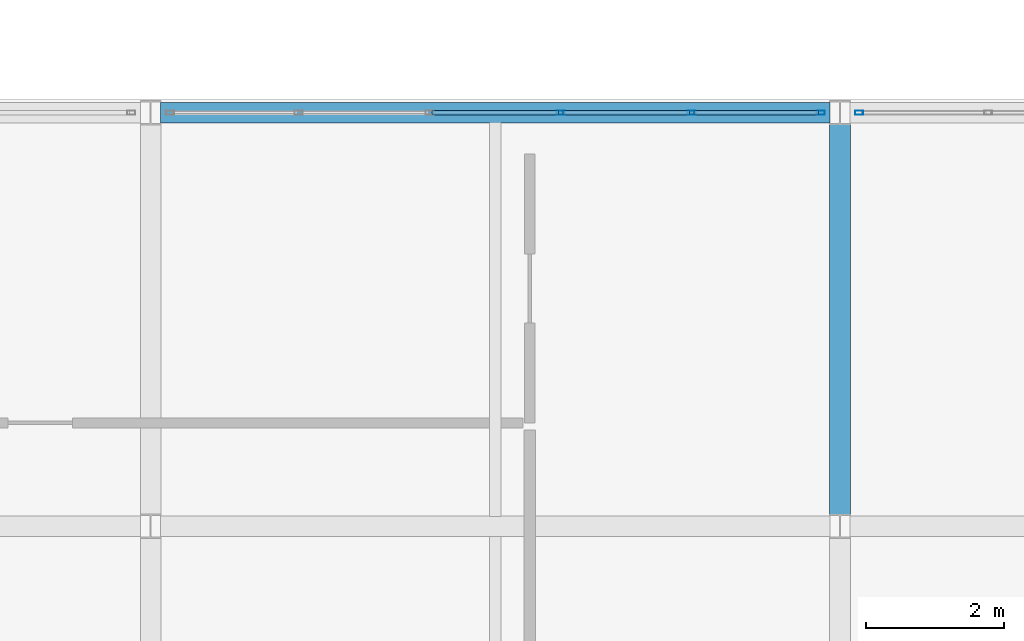
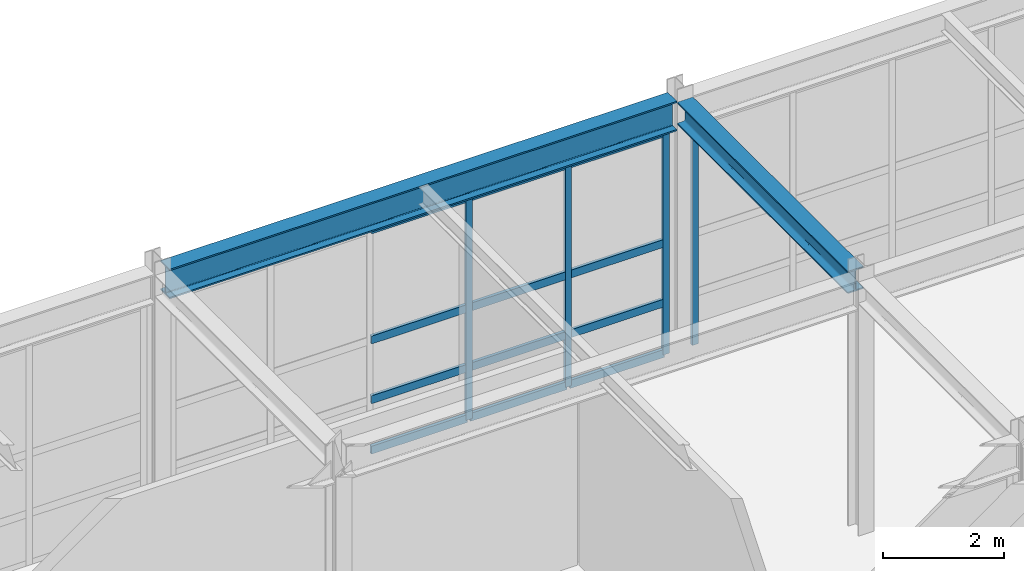
# One storey, part 129 of 210: 16 members, 2 beams, 2 elements without a shape of their own.
"""IFC4 building model written with IfcOpenShell, lengths in metres."""

from ifc_helpers import new_model, si_unit, direction, frame, origin, origin_2d, place, context, subcontext, project, spatial, hollow_rectangle, i_section, extrude, material, material_profile, profile_set, type_object, element, aggregate, save


model = new_model("IFC4")

# Units and contexts
model_context = context("Model", 3, precision=1e-05, world=origin(), true_north=direction((0.0, 1.0)))
body_context = subcontext(model_context, "Body", "Model", "MODEL_VIEW")
ifc_project = project(units=[si_unit("LENGTHUNIT", "METRE"), si_unit("AREAUNIT", "SQUARE_METRE"), si_unit("VOLUMEUNIT", "CUBIC_METRE"), si_unit("PLANEANGLEUNIT", "RADIAN"), si_unit("MASSUNIT", "GRAM", prefix="KILO")], contexts=[model_context])

# Site, building, storey
site_placement = place(None, origin())
site = spatial("IfcSite", under=ifc_project, at=site_placement, CompositionType="ELEMENT")
building_placement = place(site_placement, origin())
building = spatial("IfcBuilding", under=site, at=building_placement, Name="Kaldris Quays Convention Centre", CompositionType="ELEMENT")
storey_placement = place(building_placement, frame((0.0, 0.0, 6.0)))
storey = spatial("IfcBuildingStorey", under=building, at=storey_placement, Name="L01", CompositionType="ELEMENT", Elevation=6.0)

# Curtain wall, members
ifc_material_1 = material(Name="Anodized aluminium AW-6060 and triple glazing", Category="aluminium")
curtain_wall_type = type_object("IfcCurtainWallType", Name="UNITISED CURTAIN WALL CW06", PredefinedType="NOTDEFINED", material=ifc_material_1)
curtain_wall_1_placement = place(storey_placement, origin())
curtain_wall_1 = element("IfcCurtainWall", 1, at=curtain_wall_1_placement, inside=storey, type_object=curtain_wall_type, Name="L01 Unitised Curtain Wall CW06 161", PredefinedType="NOTDEFINED")
ifc_material_2 = material(Name="Anodized aluminium AW-6060", Category="aluminium")
ifc_material_profile_1 = material_profile(ifc_material_2, hollow_rectangle(XDim=0.06005859375, YDim=0.1201171875, WallThickness=0.00390625, at=origin_2d()), Name="RHS 120x60x4")
ifc_profile_set_1 = profile_set([ifc_material_profile_1], Name="Anodized aluminium AW-6060")
member_type_1 = type_object("IfcMemberType", Name="CURTAIN MULLION CWM3", PredefinedType="MULLION", material=ifc_profile_set_1)
member_1_placement = place(storey_placement, frame((179.949951171875, 116.0, 0.0), z_axis=(0.0, 0.0, 1.0), x_axis=(0.0, 1.0, 0.0)))
member_1 = element("IfcMember", 2, at=member_1_placement, type_object=member_type_1, Name="CW06 mullion 4", PredefinedType="MULLION", context=body_context, shape_type="SweptSolid", body=[
    extrude(hollow_rectangle(XDim=0.06005859375, YDim=0.1201171875, WallThickness=0.00390625, at=origin_2d()), origin(), (0.0, 0.0, 1.0), 4.51806640625),
])
member_2_placement = place(storey_placement, frame((181.85009765625, 116.0, 0.0), z_axis=(0.0, 0.0, 1.0), x_axis=(0.0, 1.0, 0.0)))
member_2 = element("IfcMember", 3, at=member_2_placement, type_object=member_type_1, Name="CW06 mullion 5", PredefinedType="MULLION", context=body_context, shape_type="SweptSolid", body=[
    extrude(hollow_rectangle(XDim=0.06005859375, YDim=0.1201171875, WallThickness=0.00390625, at=origin_2d()), origin(), (0.0, 0.0, 1.0), 4.51806640625),
])
member_3_placement = place(storey_placement, frame((183.719970703125, 116.0, 0.0), z_axis=(0.0, 0.0, 1.0), x_axis=(0.0, 1.0, 0.0)))
member_3 = element("IfcMember", 4, at=member_3_placement, type_object=member_type_1, Name="CW06 mullion 6", PredefinedType="MULLION", context=body_context, shape_type="SweptSolid", body=[
    extrude(hollow_rectangle(XDim=0.06005859375, YDim=0.1201171875, WallThickness=0.00390625, at=origin_2d()), origin(), (0.0, 0.0, 1.0), 4.51806640625),
])

# Curtain wall, member
curtain_wall_2_placement = place(storey_placement, origin())
curtain_wall_2 = element("IfcCurtainWall", 5, at=curtain_wall_2_placement, inside=storey, type_object=curtain_wall_type, Name="L01 Unitised Curtain Wall CW06 163", PredefinedType="NOTDEFINED")
member_4_placement = place(storey_placement, frame((184.280029296875, 116.0, 0.0), z_axis=(0.0, 0.0, 1.0), x_axis=(0.0, 1.0, 0.0)))
member_4 = element("IfcMember", 6, at=member_4_placement, type_object=member_type_1, Name="CW06 mullion 1", PredefinedType="MULLION", context=body_context, shape_type="SweptSolid", body=[
    extrude(hollow_rectangle(XDim=0.06005859375, YDim=0.1201171875, WallThickness=0.00390625, at=origin_2d()), origin(), (0.0, 0.0, 1.0), 4.51806640625),
])
aggregate(curtain_wall_2, [member_4])

# Member
ifc_material_profile_2 = material_profile(ifc_material_2, hollow_rectangle(XDim=0.06005859375, YDim=0.159912109375, WallThickness=0.00390625, at=origin_2d()), Name="RHS 160x60x4")
ifc_profile_set_2 = profile_set([ifc_material_profile_2], Name="Anodized aluminium AW-6060")
member_type_2 = type_object("IfcMemberType", Name="CURTAIN TRANSOM CWT2", PredefinedType="USERDEFINED", material=ifc_profile_set_2)
member_5_placement = place(storey_placement, frame((178.080078125, 116.0, 0.030029296875), z_axis=(1.0, 0.0, 0.0), x_axis=(0.0, 1.0, 0.0)))
member_5 = element("IfcMember", 7, at=member_5_placement, type_object=member_type_2, Name="CW06 transom 3.1", ObjectType="TRANSOM", PredefinedType="USERDEFINED", context=body_context, shape_type="SweptSolid", body=[
    extrude(hollow_rectangle(XDim=0.06005859375, YDim=0.159912109375, WallThickness=0.00390625, at=origin_2d()), origin(), (0.0, 0.0, 1.0), 1.83984375),
])

member_6_placement = place(storey_placement, frame((178.080078125, 116.0, 1.050048828125), z_axis=(1.0, 0.0, 0.0), x_axis=(0.0, 1.0, 0.0)))
member_6 = element("IfcMember", 8, at=member_6_placement, type_object=member_type_2, Name="CW06 transom 3.2", ObjectType="TRANSOM", PredefinedType="USERDEFINED", context=body_context, shape_type="SweptSolid", body=[
    extrude(hollow_rectangle(XDim=0.06005859375, YDim=0.159912109375, WallThickness=0.00390625, at=origin_2d()), origin(), (0.0, 0.0, 1.0), 1.83984375),
])

member_7_placement = place(storey_placement, frame((178.080078125, 116.0, 2.259033203125), z_axis=(1.0, 0.0, 0.0), x_axis=(0.0, 1.0, 0.0)))
member_7 = element("IfcMember", 9, at=member_7_placement, type_object=member_type_2, Name="CW06 transom 3.3", ObjectType="TRANSOM", PredefinedType="USERDEFINED", context=body_context, shape_type="SweptSolid", body=[
    extrude(hollow_rectangle(XDim=0.06005859375, YDim=0.159912109375, WallThickness=0.00390625, at=origin_2d()), origin(), (0.0, 0.0, 1.0), 1.83984375),
])

member_8_placement = place(storey_placement, frame((178.080078125, 116.0, 4.488037109375), z_axis=(1.0, 0.0, 0.0), x_axis=(0.0, 1.0, 0.0)))
member_8 = element("IfcMember", 10, at=member_8_placement, type_object=member_type_2, Name="CW06 transom 3.4", ObjectType="TRANSOM", PredefinedType="USERDEFINED", context=body_context, shape_type="SweptSolid", body=[
    extrude(hollow_rectangle(XDim=0.06005859375, YDim=0.159912109375, WallThickness=0.00390625, at=origin_2d()), origin(), (0.0, 0.0, 1.0), 1.83984375),
])

member_9_placement = place(storey_placement, frame((179.97998046875, 116.0, 0.030029296875), z_axis=(1.0, 0.0, 0.0), x_axis=(0.0, 1.0, 0.0)))
member_9 = element("IfcMember", 11, at=member_9_placement, type_object=member_type_2, Name="CW06 transom 4.1", ObjectType="TRANSOM", PredefinedType="USERDEFINED", context=body_context, shape_type="SweptSolid", body=[
    extrude(hollow_rectangle(XDim=0.06005859375, YDim=0.159912109375, WallThickness=0.00390625, at=origin_2d()), origin(), (0.0, 0.0, 1.0), 1.840087890625),
])

member_10_placement = place(storey_placement, frame((179.97998046875, 116.0, 1.050048828125), z_axis=(1.0, 0.0, 0.0), x_axis=(0.0, 1.0, 0.0)))
member_10 = element("IfcMember", 12, at=member_10_placement, type_object=member_type_2, Name="CW06 transom 4.2", ObjectType="TRANSOM", PredefinedType="USERDEFINED", context=body_context, shape_type="SweptSolid", body=[
    extrude(hollow_rectangle(XDim=0.06005859375, YDim=0.159912109375, WallThickness=0.00390625, at=origin_2d()), origin(), (0.0, 0.0, 1.0), 1.840087890625),
])

member_11_placement = place(storey_placement, frame((179.97998046875, 116.0, 2.259033203125), z_axis=(1.0, 0.0, 0.0), x_axis=(0.0, 1.0, 0.0)))
member_11 = element("IfcMember", 13, at=member_11_placement, type_object=member_type_2, Name="CW06 transom 4.3", ObjectType="TRANSOM", PredefinedType="USERDEFINED", context=body_context, shape_type="SweptSolid", body=[
    extrude(hollow_rectangle(XDim=0.06005859375, YDim=0.159912109375, WallThickness=0.00390625, at=origin_2d()), origin(), (0.0, 0.0, 1.0), 1.840087890625),
])

member_12_placement = place(storey_placement, frame((179.97998046875, 116.0, 4.488037109375), z_axis=(1.0, 0.0, 0.0), x_axis=(0.0, 1.0, 0.0)))
member_12 = element("IfcMember", 14, at=member_12_placement, type_object=member_type_2, Name="CW06 transom 4.4", ObjectType="TRANSOM", PredefinedType="USERDEFINED", context=body_context, shape_type="SweptSolid", body=[
    extrude(hollow_rectangle(XDim=0.06005859375, YDim=0.159912109375, WallThickness=0.00390625, at=origin_2d()), origin(), (0.0, 0.0, 1.0), 1.840087890625),
])

member_13_placement = place(storey_placement, frame((181.8798828125, 116.0, 0.030029296875), z_axis=(1.0, 0.0, 0.0), x_axis=(0.0, 1.0, 0.0)))
member_13 = element("IfcMember", 15, at=member_13_placement, type_object=member_type_2, Name="CW06 transom 5.1", ObjectType="TRANSOM", PredefinedType="USERDEFINED", context=body_context, shape_type="SweptSolid", body=[
    extrude(hollow_rectangle(XDim=0.06005859375, YDim=0.159912109375, WallThickness=0.00390625, at=origin_2d()), origin(), (0.0, 0.0, 1.0), 1.81005859375),
])

member_14_placement = place(storey_placement, frame((181.8798828125, 116.0, 1.050048828125), z_axis=(1.0, 0.0, 0.0), x_axis=(0.0, 1.0, 0.0)))
member_14 = element("IfcMember", 16, at=member_14_placement, type_object=member_type_2, Name="CW06 transom 5.2", ObjectType="TRANSOM", PredefinedType="USERDEFINED", context=body_context, shape_type="SweptSolid", body=[
    extrude(hollow_rectangle(XDim=0.06005859375, YDim=0.159912109375, WallThickness=0.00390625, at=origin_2d()), origin(), (0.0, 0.0, 1.0), 1.81005859375),
])

member_15_placement = place(storey_placement, frame((181.8798828125, 116.0, 2.259033203125), z_axis=(1.0, 0.0, 0.0), x_axis=(0.0, 1.0, 0.0)))
member_15 = element("IfcMember", 17, at=member_15_placement, type_object=member_type_2, Name="CW06 transom 5.3", ObjectType="TRANSOM", PredefinedType="USERDEFINED", context=body_context, shape_type="SweptSolid", body=[
    extrude(hollow_rectangle(XDim=0.06005859375, YDim=0.159912109375, WallThickness=0.00390625, at=origin_2d()), origin(), (0.0, 0.0, 1.0), 1.81005859375),
])

member_16_placement = place(storey_placement, frame((181.8798828125, 116.0, 4.488037109375), z_axis=(1.0, 0.0, 0.0), x_axis=(0.0, 1.0, 0.0)))
member_16 = element("IfcMember", 18, at=member_16_placement, type_object=member_type_2, Name="CW06 transom 5.4", ObjectType="TRANSOM", PredefinedType="USERDEFINED", context=body_context, shape_type="SweptSolid", body=[
    extrude(hollow_rectangle(XDim=0.06005859375, YDim=0.159912109375, WallThickness=0.00390625, at=origin_2d()), origin(), (0.0, 0.0, 1.0), 1.81005859375),
])

aggregate(curtain_wall_1, [member_1, member_2, member_3, member_5, member_6, member_7, member_8, member_9, member_10, member_11, member_12, member_13, member_14, member_15, member_16])

# Beams
ifc_material_3 = material(Name="Steel S355J2", Category="steel")
ifc_material_profile_3 = material_profile(ifc_material_3, i_section(OverallWidth=0.300048828125, OverallDepth=0.60009765625, WebThickness=0.015380859375, FlangeThickness=0.030029296875, FilletRadius=0.027099609375, at=origin_2d()), Name="HEB 600")
ifc_profile_set_3 = profile_set([ifc_material_profile_3], Name="Steel S355J2")
beam_type_1 = type_object("IfcBeamType", Name="STRUCTURAL BEAM BM05", PredefinedType="BEAM", material=ifc_profile_set_3)
beam_1_placement = place(storey_placement, frame((174.14404296875, 116.0, 4.843017578125), z_axis=(1.0, 0.0, 0.0), x_axis=(0.0, 1.0, 0.0)))
element("IfcBeam", 19, at=beam_1_placement, inside=storey, type_object=beam_type_1, Name="L01 Girder BM05 54", PredefinedType="BEAM", context=body_context, shape_type="SweptSolid", body=[
    extrude(i_section(OverallWidth=0.300048828125, OverallDepth=0.60009765625, WebThickness=0.015380859375, FlangeThickness=0.030029296875, FilletRadius=0.027099609375, at=origin_2d()), origin(), (0.0, 0.0, 1.0), 9.7119140625),
])
ifc_material_profile_4 = material_profile(ifc_material_3, i_section(OverallWidth=0.300048828125, OverallDepth=0.449951171875, WebThickness=0.013916015625, FlangeThickness=0.02587890625, FilletRadius=0.027099609375, at=origin_2d()), Name="HEB 450")
ifc_profile_set_4 = profile_set([ifc_material_profile_4], Name="Steel S355J2")
beam_type_2 = type_object("IfcBeamType", Name="STRUCTURAL BEAM BM07", PredefinedType="BEAM", material=ifc_profile_set_4)
beam_2_placement = place(storey_placement, frame((184.0, 110.174072265625, 4.91796875), z_axis=(0.0, 1.0, 0.0), x_axis=(-1.0, 0.0, 0.0)))
element("IfcBeam", 20, at=beam_2_placement, inside=storey, type_object=beam_type_2, Name="L01 Girder BM07 107", PredefinedType="BEAM", context=body_context, shape_type="SweptSolid", body=[
    extrude(i_section(OverallWidth=0.300048828125, OverallDepth=0.449951171875, WebThickness=0.013916015625, FlangeThickness=0.02587890625, FilletRadius=0.027099609375, at=origin_2d()), origin(), (0.0, 0.0, 1.0), 5.65185546875),
])

save(model, "model.ifc")
